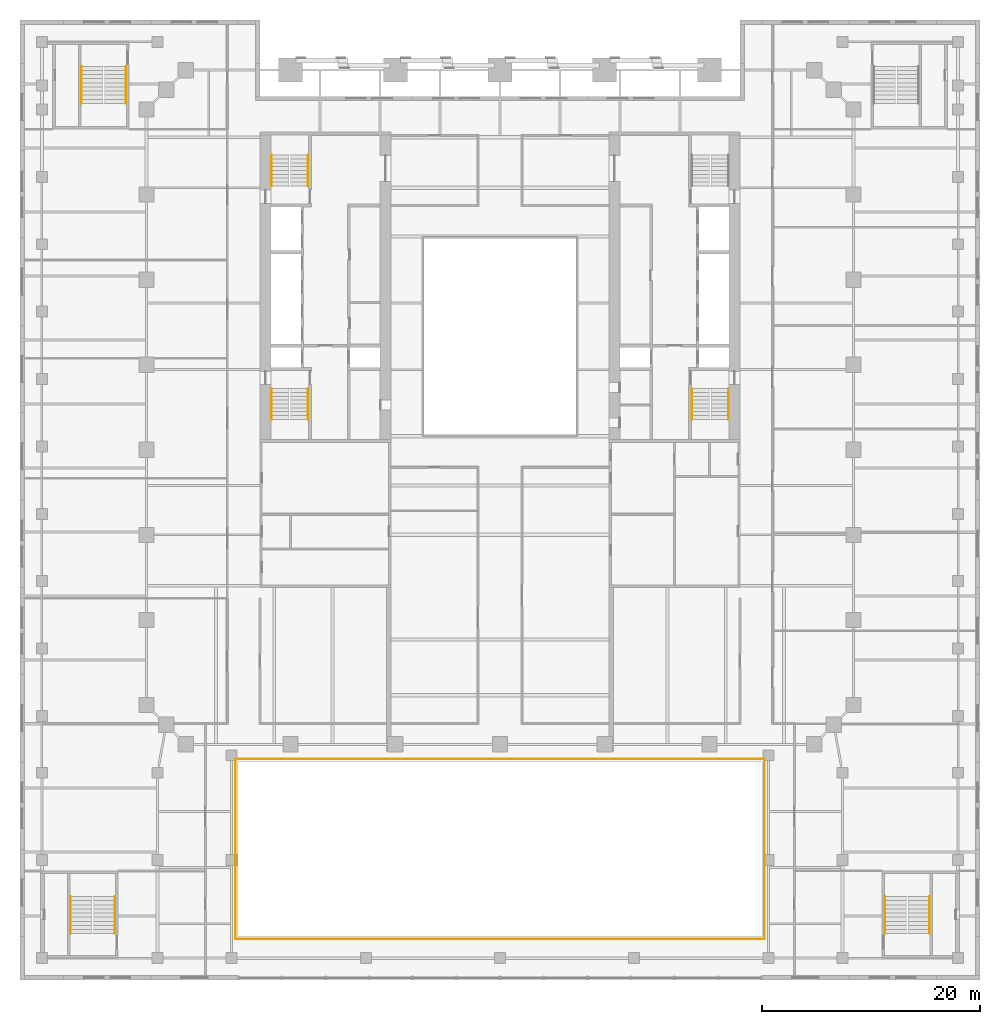
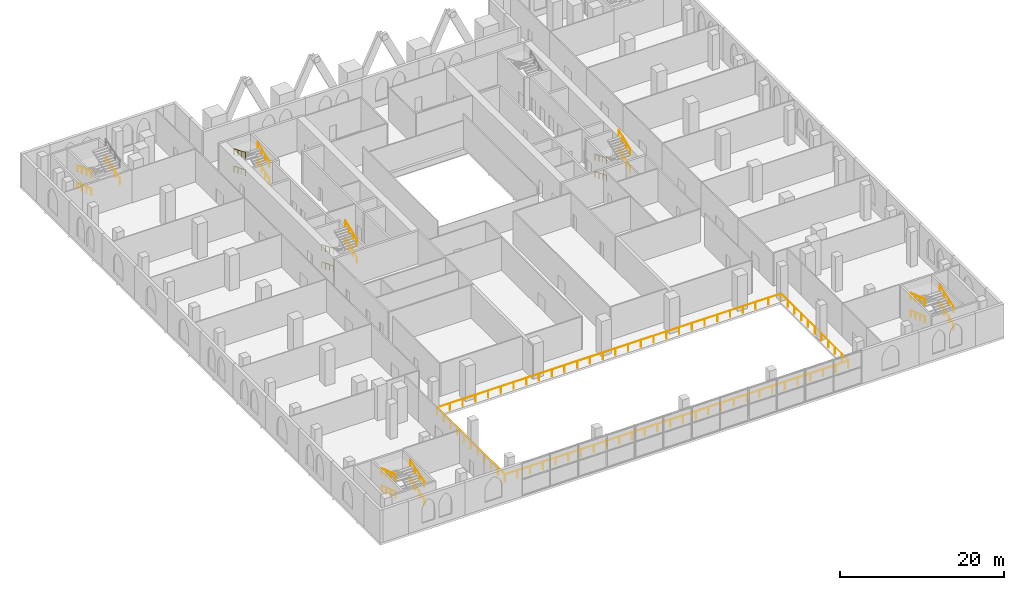
# One storey, part 21 of 22: 27 railings.
"""IFC4 building model written with IfcOpenShell, lengths in metres."""

from ifc_helpers import new_model, si_unit, direction, frame, origin, origin_2d, place, context, subcontext, project, spatial, circle, extrude, material, type_object, element, save


model = new_model("IFC4")

# Units and contexts
model_context = context("Model", 3, precision=1e-05, world=origin(), true_north=direction((0.0, 1.0)))
body_context = subcontext(model_context, "Body", "Model", "MODEL_VIEW")
ifc_project = project(units=[si_unit("LENGTHUNIT", "METRE"), si_unit("AREAUNIT", "SQUARE_METRE"), si_unit("VOLUMEUNIT", "CUBIC_METRE"), si_unit("PLANEANGLEUNIT", "RADIAN"), si_unit("MASSUNIT", "GRAM", prefix="KILO")], contexts=[model_context])

# Site, building, storey
site_placement = place(None, origin())
site = spatial("IfcSite", under=ifc_project, at=site_placement, CompositionType="ELEMENT")
building_placement = place(site_placement, origin())
building = spatial("IfcBuilding", under=site, at=building_placement, Name="Ogive Exchange Tower", CompositionType="ELEMENT")
storey_placement = place(building_placement, frame((0.0, 0.0, 14.0)))
storey = spatial("IfcBuildingStorey", under=building, at=storey_placement, Name="L02", CompositionType="ELEMENT", Elevation=14.0)

# Railings
ifc_material_1 = material(Name="Stainless steel 316", Category="steel")
railing_type_1 = type_object("IfcRailingType", Name="Balustrade 1100 glass and stainless steel", PredefinedType="BALUSTRADE", material=ifc_material_1)
railing_1_placement = place(storey_placement, frame((-24.25, -48.25, 0.0)))
element("IfcRailing", 1, at=railing_1_placement, inside=storey, type_object=railing_type_1, Name="Galleria edge balustrade 1", PredefinedType="BALUSTRADE", context=body_context, shape_type="SweptSolid", body=[
    extrude(circle(Radius=0.02392578125, at=origin_2d()), frame((0.0, 0.0, 1.076171875), z_axis=(1.0, 0.0, 0.0), x_axis=(0.0, 1.0, 0.0)), (0.0, 0.0, 1.0), 48.5),
    extrude(circle(Radius=0.02099609375, at=origin_2d()), origin(), (0.0, 0.0, 1.0), 1.052001953125),
    extrude(circle(Radius=0.02099609375, at=origin_2d()), frame((1.79638671875, 0.0, 0.0)), (0.0, 0.0, 1.0), 1.052001953125),
    extrude(circle(Radius=0.02099609375, at=origin_2d()), frame((3.592529296875, 0.0, 0.0)), (0.0, 0.0, 1.0), 1.052001953125),
    extrude(circle(Radius=0.02099609375, at=origin_2d()), frame((5.388916015625, 0.0, 0.0)), (0.0, 0.0, 1.0), 1.052001953125),
    extrude(circle(Radius=0.02099609375, at=origin_2d()), frame((7.185302734375, 0.0, 0.0)), (0.0, 0.0, 1.0), 1.052001953125),
    extrude(circle(Radius=0.02099609375, at=origin_2d()), frame((8.9814453125, 0.0, 0.0)), (0.0, 0.0, 1.0), 1.052001953125),
    extrude(circle(Radius=0.02099609375, at=origin_2d()), frame((10.77783203125, 0.0, 0.0)), (0.0, 0.0, 1.0), 1.052001953125),
    extrude(circle(Radius=0.02099609375, at=origin_2d()), frame((12.573974609375, 0.0, 0.0)), (0.0, 0.0, 1.0), 1.052001953125),
    extrude(circle(Radius=0.02099609375, at=origin_2d()), frame((14.370361328125, 0.0, 0.0)), (0.0, 0.0, 1.0), 1.052001953125),
    extrude(circle(Radius=0.02099609375, at=origin_2d()), frame((16.166748046875, 0.0, 0.0)), (0.0, 0.0, 1.0), 1.052001953125),
    extrude(circle(Radius=0.02099609375, at=origin_2d()), frame((17.962890625, 0.0, 0.0)), (0.0, 0.0, 1.0), 1.052001953125),
    extrude(circle(Radius=0.02099609375, at=origin_2d()), frame((19.75927734375, 0.0, 0.0)), (0.0, 0.0, 1.0), 1.052001953125),
    extrude(circle(Radius=0.02099609375, at=origin_2d()), frame((21.5556640625, 0.0, 0.0)), (0.0, 0.0, 1.0), 1.052001953125),
    extrude(circle(Radius=0.02099609375, at=origin_2d()), frame((23.351806640625, 0.0, 0.0)), (0.0, 0.0, 1.0), 1.052001953125),
    extrude(circle(Radius=0.02099609375, at=origin_2d()), frame((25.148193359375, 0.0, 0.0)), (0.0, 0.0, 1.0), 1.052001953125),
    extrude(circle(Radius=0.02099609375, at=origin_2d()), frame((26.9443359375, 0.0, 0.0)), (0.0, 0.0, 1.0), 1.052001953125),
    extrude(circle(Radius=0.02099609375, at=origin_2d()), frame((28.74072265625, 0.0, 0.0)), (0.0, 0.0, 1.0), 1.052001953125),
    extrude(circle(Radius=0.02099609375, at=origin_2d()), frame((30.537109375, 0.0, 0.0)), (0.0, 0.0, 1.0), 1.052001953125),
    extrude(circle(Radius=0.02099609375, at=origin_2d()), frame((32.333251953125, 0.0, 0.0)), (0.0, 0.0, 1.0), 1.052001953125),
    extrude(circle(Radius=0.02099609375, at=origin_2d()), frame((34.129638671875, 0.0, 0.0)), (0.0, 0.0, 1.0), 1.052001953125),
    extrude(circle(Radius=0.02099609375, at=origin_2d()), frame((35.926025390625, 0.0, 0.0)), (0.0, 0.0, 1.0), 1.052001953125),
    extrude(circle(Radius=0.02099609375, at=origin_2d()), frame((37.72216796875, 0.0, 0.0)), (0.0, 0.0, 1.0), 1.052001953125),
    extrude(circle(Radius=0.02099609375, at=origin_2d()), frame((39.5185546875, 0.0, 0.0)), (0.0, 0.0, 1.0), 1.052001953125),
    extrude(circle(Radius=0.02099609375, at=origin_2d()), frame((41.314697265625, 0.0, 0.0)), (0.0, 0.0, 1.0), 1.052001953125),
    extrude(circle(Radius=0.02099609375, at=origin_2d()), frame((43.111083984375, 0.0, 0.0)), (0.0, 0.0, 1.0), 1.052001953125),
    extrude(circle(Radius=0.02099609375, at=origin_2d()), frame((44.907470703125, 0.0, 0.0)), (0.0, 0.0, 1.0), 1.052001953125),
    extrude(circle(Radius=0.02099609375, at=origin_2d()), frame((46.70361328125, 0.0, 0.0)), (0.0, 0.0, 1.0), 1.052001953125),
    extrude(circle(Radius=0.02099609375, at=origin_2d()), frame((48.5, 0.0, 0.0)), (0.0, 0.0, 1.0), 1.052001953125),
])
railing_2_placement = place(storey_placement, frame((24.25, -48.25, 0.0)))
element("IfcRailing", 2, at=railing_2_placement, inside=storey, type_object=railing_type_1, Name="Galleria edge balustrade 2", PredefinedType="BALUSTRADE", context=body_context, shape_type="SweptSolid", body=[
    extrude(circle(Radius=0.02392578125, at=origin_2d()), frame((0.0, 0.0, 1.076171875), z_axis=(0.0, 1.0, 0.0), x_axis=(-1.0, 0.0, 0.0)), (0.0, 0.0, 1.0), 16.5),
    extrude(circle(Radius=0.02099609375, at=origin_2d()), origin(), (0.0, 0.0, 1.0), 1.052001953125),
    extrude(circle(Radius=0.02099609375, at=origin_2d()), frame((0.0, 1.64990234375, 0.0)), (0.0, 0.0, 1.0), 1.052001953125),
    extrude(circle(Radius=0.02099609375, at=origin_2d()), frame((0.0, 3.300048828125, 0.0)), (0.0, 0.0, 1.0), 1.052001953125),
    extrude(circle(Radius=0.02099609375, at=origin_2d()), frame((0.0, 4.949951171875, 0.0)), (0.0, 0.0, 1.0), 1.052001953125),
    extrude(circle(Radius=0.02099609375, at=origin_2d()), frame((0.0, 6.60009765625, 0.0)), (0.0, 0.0, 1.0), 1.052001953125),
    extrude(circle(Radius=0.02099609375, at=origin_2d()), frame((0.0, 8.25, 0.0)), (0.0, 0.0, 1.0), 1.052001953125),
    extrude(circle(Radius=0.02099609375, at=origin_2d()), frame((0.0, 9.89990234375, 0.0)), (0.0, 0.0, 1.0), 1.052001953125),
    extrude(circle(Radius=0.02099609375, at=origin_2d()), frame((0.0, 11.550048828125, 0.0)), (0.0, 0.0, 1.0), 1.052001953125),
    extrude(circle(Radius=0.02099609375, at=origin_2d()), frame((0.0, 13.199951171875, 0.0)), (0.0, 0.0, 1.0), 1.052001953125),
    extrude(circle(Radius=0.02099609375, at=origin_2d()), frame((0.0, 14.85009765625, 0.0)), (0.0, 0.0, 1.0), 1.052001953125),
    extrude(circle(Radius=0.02099609375, at=origin_2d()), frame((0.0, 16.5, 0.0)), (0.0, 0.0, 1.0), 1.052001953125),
])
railing_3_placement = place(storey_placement, frame((24.25, -31.75, 0.0)))
element("IfcRailing", 3, at=railing_3_placement, inside=storey, type_object=railing_type_1, Name="Galleria edge balustrade 3", PredefinedType="BALUSTRADE", context=body_context, shape_type="SweptSolid", body=[
    extrude(circle(Radius=0.02392578125, at=origin_2d()), frame((0.0, 0.0, 1.076171875), z_axis=(-1.0, 0.0, 0.0), x_axis=(0.0, -1.0, 0.0)), (0.0, 0.0, 1.0), 48.5),
    extrude(circle(Radius=0.02099609375, at=origin_2d()), origin(), (0.0, 0.0, 1.0), 1.052001953125),
    extrude(circle(Radius=0.02099609375, at=origin_2d()), frame((-1.79638671875, 0.0, 0.0)), (0.0, 0.0, 1.0), 1.052001953125),
    extrude(circle(Radius=0.02099609375, at=origin_2d()), frame((-3.592529296875, 0.0, 0.0)), (0.0, 0.0, 1.0), 1.052001953125),
    extrude(circle(Radius=0.02099609375, at=origin_2d()), frame((-5.388916015625, 0.0, 0.0)), (0.0, 0.0, 1.0), 1.052001953125),
    extrude(circle(Radius=0.02099609375, at=origin_2d()), frame((-7.185302734375, 0.0, 0.0)), (0.0, 0.0, 1.0), 1.052001953125),
    extrude(circle(Radius=0.02099609375, at=origin_2d()), frame((-8.9814453125, 0.0, 0.0)), (0.0, 0.0, 1.0), 1.052001953125),
    extrude(circle(Radius=0.02099609375, at=origin_2d()), frame((-10.77783203125, 0.0, 0.0)), (0.0, 0.0, 1.0), 1.052001953125),
    extrude(circle(Radius=0.02099609375, at=origin_2d()), frame((-12.573974609375, 0.0, 0.0)), (0.0, 0.0, 1.0), 1.052001953125),
    extrude(circle(Radius=0.02099609375, at=origin_2d()), frame((-14.370361328125, 0.0, 0.0)), (0.0, 0.0, 1.0), 1.052001953125),
    extrude(circle(Radius=0.02099609375, at=origin_2d()), frame((-16.166748046875, 0.0, 0.0)), (0.0, 0.0, 1.0), 1.052001953125),
    extrude(circle(Radius=0.02099609375, at=origin_2d()), frame((-17.962890625, 0.0, 0.0)), (0.0, 0.0, 1.0), 1.052001953125),
    extrude(circle(Radius=0.02099609375, at=origin_2d()), frame((-19.75927734375, 0.0, 0.0)), (0.0, 0.0, 1.0), 1.052001953125),
    extrude(circle(Radius=0.02099609375, at=origin_2d()), frame((-21.5556640625, 0.0, 0.0)), (0.0, 0.0, 1.0), 1.052001953125),
    extrude(circle(Radius=0.02099609375, at=origin_2d()), frame((-23.351806640625, 0.0, 0.0)), (0.0, 0.0, 1.0), 1.052001953125),
    extrude(circle(Radius=0.02099609375, at=origin_2d()), frame((-25.148193359375, 0.0, 0.0)), (0.0, 0.0, 1.0), 1.052001953125),
    extrude(circle(Radius=0.02099609375, at=origin_2d()), frame((-26.9443359375, 0.0, 0.0)), (0.0, 0.0, 1.0), 1.052001953125),
    extrude(circle(Radius=0.02099609375, at=origin_2d()), frame((-28.74072265625, 0.0, 0.0)), (0.0, 0.0, 1.0), 1.052001953125),
    extrude(circle(Radius=0.02099609375, at=origin_2d()), frame((-30.537109375, 0.0, 0.0)), (0.0, 0.0, 1.0), 1.052001953125),
    extrude(circle(Radius=0.02099609375, at=origin_2d()), frame((-32.333251953125, 0.0, 0.0)), (0.0, 0.0, 1.0), 1.052001953125),
    extrude(circle(Radius=0.02099609375, at=origin_2d()), frame((-34.129638671875, 0.0, 0.0)), (0.0, 0.0, 1.0), 1.052001953125),
    extrude(circle(Radius=0.02099609375, at=origin_2d()), frame((-35.926025390625, 0.0, 0.0)), (0.0, 0.0, 1.0), 1.052001953125),
    extrude(circle(Radius=0.02099609375, at=origin_2d()), frame((-37.72216796875, 0.0, 0.0)), (0.0, 0.0, 1.0), 1.052001953125),
    extrude(circle(Radius=0.02099609375, at=origin_2d()), frame((-39.5185546875, 0.0, 0.0)), (0.0, 0.0, 1.0), 1.052001953125),
    extrude(circle(Radius=0.02099609375, at=origin_2d()), frame((-41.314697265625, 0.0, 0.0)), (0.0, 0.0, 1.0), 1.052001953125),
    extrude(circle(Radius=0.02099609375, at=origin_2d()), frame((-43.111083984375, 0.0, 0.0)), (0.0, 0.0, 1.0), 1.052001953125),
    extrude(circle(Radius=0.02099609375, at=origin_2d()), frame((-44.907470703125, 0.0, 0.0)), (0.0, 0.0, 1.0), 1.052001953125),
    extrude(circle(Radius=0.02099609375, at=origin_2d()), frame((-46.70361328125, 0.0, 0.0)), (0.0, 0.0, 1.0), 1.052001953125),
    extrude(circle(Radius=0.02099609375, at=origin_2d()), frame((-48.5, 0.0, 0.0)), (0.0, 0.0, 1.0), 1.052001953125),
])
railing_4_placement = place(storey_placement, frame((-24.25, -31.75, 0.0)))
element("IfcRailing", 4, at=railing_4_placement, inside=storey, type_object=railing_type_1, Name="Galleria edge balustrade 4", PredefinedType="BALUSTRADE", context=body_context, shape_type="SweptSolid", body=[
    extrude(circle(Radius=0.02392578125, at=origin_2d()), frame((0.0, 0.0, 1.076171875), z_axis=(0.0, -1.0, 0.0), x_axis=(1.0, 0.0, 0.0)), (0.0, 0.0, 1.0), 16.5),
    extrude(circle(Radius=0.02099609375, at=origin_2d()), origin(), (0.0, 0.0, 1.0), 1.052001953125),
    extrude(circle(Radius=0.02099609375, at=origin_2d()), frame((0.0, -1.64990234375, 0.0)), (0.0, 0.0, 1.0), 1.052001953125),
    extrude(circle(Radius=0.02099609375, at=origin_2d()), frame((0.0, -3.300048828125, 0.0)), (0.0, 0.0, 1.0), 1.052001953125),
    extrude(circle(Radius=0.02099609375, at=origin_2d()), frame((0.0, -4.949951171875, 0.0)), (0.0, 0.0, 1.0), 1.052001953125),
    extrude(circle(Radius=0.02099609375, at=origin_2d()), frame((0.0, -6.60009765625, 0.0)), (0.0, 0.0, 1.0), 1.052001953125),
    extrude(circle(Radius=0.02099609375, at=origin_2d()), frame((0.0, -8.25, 0.0)), (0.0, 0.0, 1.0), 1.052001953125),
    extrude(circle(Radius=0.02099609375, at=origin_2d()), frame((0.0, -9.89990234375, 0.0)), (0.0, 0.0, 1.0), 1.052001953125),
    extrude(circle(Radius=0.02099609375, at=origin_2d()), frame((0.0, -11.550048828125, 0.0)), (0.0, 0.0, 1.0), 1.052001953125),
    extrude(circle(Radius=0.02099609375, at=origin_2d()), frame((0.0, -13.199951171875, 0.0)), (0.0, 0.0, 1.0), 1.052001953125),
    extrude(circle(Radius=0.02099609375, at=origin_2d()), frame((0.0, -14.85009765625, 0.0)), (0.0, 0.0, 1.0), 1.052001953125),
    extrude(circle(Radius=0.02099609375, at=origin_2d()), frame((0.0, -16.5, 0.0)), (0.0, 0.0, 1.0), 1.052001953125),
])
ifc_material_2 = material(Name="Stainless steel", Category="steel")
railing_type_2 = type_object("IfcRailingType", Name="Stair handrail 900", PredefinedType="HANDRAIL", material=ifc_material_2)
railing_5_placement = place(storey_placement, frame((-20.949951171875, 2.199951171875, 0.14453125)))
element("IfcRailing", 5, at=railing_5_placement, inside=storey, type_object=railing_type_2, Name="L02 ST1 stair handrail 1", PredefinedType="HANDRAIL", context=body_context, shape_type="SweptSolid", body=[
    extrude(circle(Radius=0.02392578125, at=origin_2d()), frame((0.0, 0.0, 0.8759765625), z_axis=(0.0, -0.924754679997, 0.380563768405), x_axis=(1.0, 0.0, 0.0)), (0.0, 0.0, 1.0), 3.036376953125),
    extrude(circle(Radius=0.02099609375, at=origin_2d()), origin(), (0.0, 0.0, 1.0), 0.851806640625),
    extrude(circle(Radius=0.02099609375, at=origin_2d()), frame((0.0, -0.93603515625, 0.38525390625)), (0.0, 0.0, 1.0), 0.851806640625),
    extrude(circle(Radius=0.02099609375, at=origin_2d()), frame((0.0, -1.871826171875, 0.770263671875)), (0.0, 0.0, 1.0), 0.851806640625),
    extrude(circle(Radius=0.02099609375, at=origin_2d()), frame((0.0, -2.807861328125, 1.155517578125)), (0.0, 0.0, 1.0), 0.851806640625),
])
railing_6_placement = place(storey_placement, frame((-17.60009765625, -0.60791015625, 1.4443359375)))
element("IfcRailing", 6, at=railing_6_placement, inside=storey, type_object=railing_type_2, Name="L02 ST1 stair handrail 2", PredefinedType="HANDRAIL", context=body_context, shape_type="SweptSolid", body=[
    extrude(circle(Radius=0.02392578125, at=origin_2d()), frame((0.0, 0.0, 0.8759765625), z_axis=(0.0, 0.924726381013, 0.380632526538), x_axis=(-1.0, 0.0, 0.0)), (0.0, 0.0, 1.0), 3.036376953125),
    extrude(circle(Radius=0.02099609375, at=origin_2d()), origin(), (0.0, 0.0, 1.0), 0.851806640625),
    extrude(circle(Radius=0.02099609375, at=origin_2d()), frame((0.0, 0.93603515625, 0.38525390625)), (0.0, 0.0, 1.0), 0.851806640625),
    extrude(circle(Radius=0.02099609375, at=origin_2d()), frame((0.0, 1.871826171875, 0.7705078125)), (0.0, 0.0, 1.0), 0.851806640625),
    extrude(circle(Radius=0.02099609375, at=origin_2d()), frame((0.0, 2.807861328125, 1.15576171875)), (0.0, 0.0, 1.0), 0.851806640625),
])
railing_7_placement = place(storey_placement, frame((-20.949951171875, 2.199951171875, 2.744384765625)))
element("IfcRailing", 7, at=railing_7_placement, inside=storey, type_object=railing_type_2, Name="L02 ST1 stair handrail 3", PredefinedType="HANDRAIL", context=body_context, shape_type="SweptSolid", body=[
    extrude(circle(Radius=0.02392578125, at=origin_2d()), frame((0.0, 0.0, 0.8759765625), z_axis=(0.0, -0.924754679997, 0.380563768405), x_axis=(1.0, 0.0, 0.0)), (0.0, 0.0, 1.0), 3.036376953125),
    extrude(circle(Radius=0.02099609375, at=origin_2d()), origin(), (0.0, 0.0, 1.0), 0.851806640625),
    extrude(circle(Radius=0.02099609375, at=origin_2d()), frame((0.0, -0.93603515625, 0.38525390625)), (0.0, 0.0, 1.0), 0.851806640625),
    extrude(circle(Radius=0.02099609375, at=origin_2d()), frame((0.0, -1.871826171875, 0.770263671875)), (0.0, 0.0, 1.0), 0.851806640625),
    extrude(circle(Radius=0.02099609375, at=origin_2d()), frame((0.0, -2.807861328125, 1.155517578125)), (0.0, 0.0, 1.0), 0.851806640625),
])
for number, where, name in (
    (8, (-17.60009765625, -0.60791015625, 4.04443359375), "L02 ST1 stair handrail 4"),
    (9, (-17.60009765625, 20.800048828125, 0.14453125), "L02 ST2 stair handrail 1"),
):
    element("IfcRailing", number, at=place(storey_placement, frame(where)), inside=storey, type_object=railing_type_2, Name=name, PredefinedType="HANDRAIL", context=body_context, shape_type="SweptSolid", body=[
        extrude(circle(Radius=0.02392578125, at=origin_2d()), frame((0.0, 0.0, 0.8759765625), z_axis=(0.0, 0.924754679997, 0.380563768405), x_axis=(-1.0, 0.0, 0.0)), (0.0, 0.0, 1.0), 3.036376953125),
        extrude(circle(Radius=0.02099609375, at=origin_2d()), origin(), (0.0, 0.0, 1.0), 0.851806640625),
        extrude(circle(Radius=0.02099609375, at=origin_2d()), frame((0.0, 0.93603515625, 0.38525390625)), (0.0, 0.0, 1.0), 0.851806640625),
        extrude(circle(Radius=0.02099609375, at=origin_2d()), frame((0.0, 1.871826171875, 0.770263671875)), (0.0, 0.0, 1.0), 0.851806640625),
        extrude(circle(Radius=0.02099609375, at=origin_2d()), frame((0.0, 2.807861328125, 1.155517578125)), (0.0, 0.0, 1.0), 0.851806640625),
    ])
railing_8_placement = place(storey_placement, frame((-20.949951171875, 23.60791015625, 1.4443359375)))
element("IfcRailing", 10, at=railing_8_placement, inside=storey, type_object=railing_type_2, Name="L02 ST2 stair handrail 2", PredefinedType="HANDRAIL", context=body_context, shape_type="SweptSolid", body=[
    extrude(circle(Radius=0.02392578125, at=origin_2d()), frame((0.0, 0.0, 0.8759765625), z_axis=(0.0, -0.924726381013, 0.380632526538), x_axis=(1.0, 0.0, 0.0)), (0.0, 0.0, 1.0), 3.036376953125),
    extrude(circle(Radius=0.02099609375, at=origin_2d()), origin(), (0.0, 0.0, 1.0), 0.851806640625),
    extrude(circle(Radius=0.02099609375, at=origin_2d()), frame((0.0, -0.93603515625, 0.38525390625)), (0.0, 0.0, 1.0), 0.851806640625),
    extrude(circle(Radius=0.02099609375, at=origin_2d()), frame((0.0, -1.871826171875, 0.7705078125)), (0.0, 0.0, 1.0), 0.851806640625),
    extrude(circle(Radius=0.02099609375, at=origin_2d()), frame((0.0, -2.807861328125, 1.15576171875)), (0.0, 0.0, 1.0), 0.851806640625),
])
railing_9_placement = place(storey_placement, frame((-17.60009765625, 20.800048828125, 2.744384765625)))
element("IfcRailing", 11, at=railing_9_placement, inside=storey, type_object=railing_type_2, Name="L02 ST2 stair handrail 3", PredefinedType="HANDRAIL", context=body_context, shape_type="SweptSolid", body=[
    extrude(circle(Radius=0.02392578125, at=origin_2d()), frame((0.0, 0.0, 0.8759765625), z_axis=(0.0, 0.924754679997, 0.380563768405), x_axis=(-1.0, 0.0, 0.0)), (0.0, 0.0, 1.0), 3.036376953125),
    extrude(circle(Radius=0.02099609375, at=origin_2d()), origin(), (0.0, 0.0, 1.0), 0.851806640625),
    extrude(circle(Radius=0.02099609375, at=origin_2d()), frame((0.0, 0.93603515625, 0.38525390625)), (0.0, 0.0, 1.0), 0.851806640625),
    extrude(circle(Radius=0.02099609375, at=origin_2d()), frame((0.0, 1.871826171875, 0.770263671875)), (0.0, 0.0, 1.0), 0.851806640625),
    extrude(circle(Radius=0.02099609375, at=origin_2d()), frame((0.0, 2.807861328125, 1.155517578125)), (0.0, 0.0, 1.0), 0.851806640625),
])
for number, where, name in (
    (12, (-20.949951171875, 23.60791015625, 4.04443359375), "L02 ST2 stair handrail 4"),
    (13, (17.60009765625, 2.199951171875, 0.14453125), "L02 ST3 stair handrail 1"),
):
    element("IfcRailing", number, at=place(storey_placement, frame(where)), inside=storey, type_object=railing_type_2, Name=name, PredefinedType="HANDRAIL", context=body_context, shape_type="SweptSolid", body=[
        extrude(circle(Radius=0.02392578125, at=origin_2d()), frame((0.0, 0.0, 0.8759765625), z_axis=(0.0, -0.924754679997, 0.380563768405), x_axis=(1.0, 0.0, 0.0)), (0.0, 0.0, 1.0), 3.036376953125),
        extrude(circle(Radius=0.02099609375, at=origin_2d()), origin(), (0.0, 0.0, 1.0), 0.851806640625),
        extrude(circle(Radius=0.02099609375, at=origin_2d()), frame((0.0, -0.93603515625, 0.38525390625)), (0.0, 0.0, 1.0), 0.851806640625),
        extrude(circle(Radius=0.02099609375, at=origin_2d()), frame((0.0, -1.871826171875, 0.770263671875)), (0.0, 0.0, 1.0), 0.851806640625),
        extrude(circle(Radius=0.02099609375, at=origin_2d()), frame((0.0, -2.807861328125, 1.155517578125)), (0.0, 0.0, 1.0), 0.851806640625),
    ])
railing_10_placement = place(storey_placement, frame((20.949951171875, -0.60791015625, 1.4443359375)))
element("IfcRailing", 14, at=railing_10_placement, inside=storey, type_object=railing_type_2, Name="L02 ST3 stair handrail 2", PredefinedType="HANDRAIL", context=body_context, shape_type="SweptSolid", body=[
    extrude(circle(Radius=0.02392578125, at=origin_2d()), frame((0.0, 0.0, 0.8759765625), z_axis=(0.0, 0.924726381013, 0.380632526538), x_axis=(-1.0, 0.0, 0.0)), (0.0, 0.0, 1.0), 3.036376953125),
    extrude(circle(Radius=0.02099609375, at=origin_2d()), origin(), (0.0, 0.0, 1.0), 0.851806640625),
    extrude(circle(Radius=0.02099609375, at=origin_2d()), frame((0.0, 0.93603515625, 0.38525390625)), (0.0, 0.0, 1.0), 0.851806640625),
    extrude(circle(Radius=0.02099609375, at=origin_2d()), frame((0.0, 1.871826171875, 0.7705078125)), (0.0, 0.0, 1.0), 0.851806640625),
    extrude(circle(Radius=0.02099609375, at=origin_2d()), frame((0.0, 2.807861328125, 1.15576171875)), (0.0, 0.0, 1.0), 0.851806640625),
])
railing_11_placement = place(storey_placement, frame((17.60009765625, 2.199951171875, 2.744384765625)))
element("IfcRailing", 15, at=railing_11_placement, inside=storey, type_object=railing_type_2, Name="L02 ST3 stair handrail 3", PredefinedType="HANDRAIL", context=body_context, shape_type="SweptSolid", body=[
    extrude(circle(Radius=0.02392578125, at=origin_2d()), frame((0.0, 0.0, 0.8759765625), z_axis=(0.0, -0.924754679997, 0.380563768405), x_axis=(1.0, 0.0, 0.0)), (0.0, 0.0, 1.0), 3.036376953125),
    extrude(circle(Radius=0.02099609375, at=origin_2d()), origin(), (0.0, 0.0, 1.0), 0.851806640625),
    extrude(circle(Radius=0.02099609375, at=origin_2d()), frame((0.0, -0.93603515625, 0.38525390625)), (0.0, 0.0, 1.0), 0.851806640625),
    extrude(circle(Radius=0.02099609375, at=origin_2d()), frame((0.0, -1.871826171875, 0.770263671875)), (0.0, 0.0, 1.0), 0.851806640625),
    extrude(circle(Radius=0.02099609375, at=origin_2d()), frame((0.0, -2.807861328125, 1.155517578125)), (0.0, 0.0, 1.0), 0.851806640625),
])
railing_12_placement = place(storey_placement, frame((20.949951171875, -0.60791015625, 4.04443359375)))
element("IfcRailing", 16, at=railing_12_placement, inside=storey, type_object=railing_type_2, Name="L02 ST3 stair handrail 4", PredefinedType="HANDRAIL", context=body_context, shape_type="SweptSolid", body=[
    extrude(circle(Radius=0.02392578125, at=origin_2d()), frame((0.0, 0.0, 0.8759765625), z_axis=(0.0, 0.924754679997, 0.380563768405), x_axis=(-1.0, 0.0, 0.0)), (0.0, 0.0, 1.0), 3.036376953125),
    extrude(circle(Radius=0.02099609375, at=origin_2d()), origin(), (0.0, 0.0, 1.0), 0.851806640625),
    extrude(circle(Radius=0.02099609375, at=origin_2d()), frame((0.0, 0.93603515625, 0.38525390625)), (0.0, 0.0, 1.0), 0.851806640625),
    extrude(circle(Radius=0.02099609375, at=origin_2d()), frame((0.0, 1.871826171875, 0.770263671875)), (0.0, 0.0, 1.0), 0.851806640625),
    extrude(circle(Radius=0.02099609375, at=origin_2d()), frame((0.0, 2.807861328125, 1.155517578125)), (0.0, 0.0, 1.0), 0.851806640625),
])
railing_13_placement = place(storey_placement, frame((-35.300048828125, -47.75, 0.1298828125)))
element("IfcRailing", 17, at=railing_13_placement, inside=storey, type_object=railing_type_2, Name="L02 PS1 stair handrail 1", PredefinedType="HANDRAIL", context=body_context, shape_type="SweptSolid", body=[
    extrude(circle(Radius=0.02392578125, at=origin_2d()), frame((0.0, 0.0, 0.8759765625), z_axis=(0.0, 0.945627258031, 0.325252346447), x_axis=(-1.0, 0.0, 0.0)), (0.0, 0.0, 1.0), 3.59765625),
    extrude(circle(Radius=0.02099609375, at=origin_2d()), origin(), (0.0, 0.0, 1.0), 0.851806640625),
    extrude(circle(Radius=0.02099609375, at=origin_2d()), frame((0.0, 1.134033203125, 0.39013671875)), (0.0, 0.0, 1.0), 0.851806640625),
    extrude(circle(Radius=0.02099609375, at=origin_2d()), frame((0.0, 2.26806640625, 0.780029296875)), (0.0, 0.0, 1.0), 0.851806640625),
    extrude(circle(Radius=0.02099609375, at=origin_2d()), frame((0.0, 3.402099609375, 1.170166015625)), (0.0, 0.0, 1.0), 0.851806640625),
])
railing_14_placement = place(storey_placement, frame((-39.35009765625, -44.347900390625, 1.429931640625)))
element("IfcRailing", 18, at=railing_14_placement, inside=storey, type_object=railing_type_2, Name="L02 PS1 stair handrail 2", PredefinedType="HANDRAIL", context=body_context, shape_type="SweptSolid", body=[
    extrude(circle(Radius=0.02392578125, at=origin_2d()), frame((0.0, 0.0, 0.8759765625), z_axis=(0.0, -0.945627258031, 0.325252346447), x_axis=(1.0, 0.0, 0.0)), (0.0, 0.0, 1.0), 3.59765625),
    extrude(circle(Radius=0.02099609375, at=origin_2d()), origin(), (0.0, 0.0, 1.0), 0.851806640625),
    extrude(circle(Radius=0.02099609375, at=origin_2d()), frame((0.0, -1.134033203125, 0.39013671875)), (0.0, 0.0, 1.0), 0.851806640625),
    extrude(circle(Radius=0.02099609375, at=origin_2d()), frame((0.0, -2.26806640625, 0.780029296875)), (0.0, 0.0, 1.0), 0.851806640625),
    extrude(circle(Radius=0.02099609375, at=origin_2d()), frame((0.0, -3.402099609375, 1.170166015625)), (0.0, 0.0, 1.0), 0.851806640625),
])
railing_15_placement = place(storey_placement, frame((-35.300048828125, -47.75, 2.72998046875)))
element("IfcRailing", 19, at=railing_15_placement, inside=storey, type_object=railing_type_2, Name="L02 PS1 stair handrail 3", PredefinedType="HANDRAIL", context=body_context, shape_type="SweptSolid", body=[
    extrude(circle(Radius=0.02392578125, at=origin_2d()), frame((0.0, 0.0, 0.8759765625), z_axis=(0.0, 0.945648128033, 0.325191663404), x_axis=(-1.0, 0.0, 0.0)), (0.0, 0.0, 1.0), 3.59765625),
    extrude(circle(Radius=0.02099609375, at=origin_2d()), origin(), (0.0, 0.0, 1.0), 0.851806640625),
    extrude(circle(Radius=0.02099609375, at=origin_2d()), frame((0.0, 1.134033203125, 0.389892578125)), (0.0, 0.0, 1.0), 0.851806640625),
    extrude(circle(Radius=0.02099609375, at=origin_2d()), frame((0.0, 2.26806640625, 0.780029296875)), (0.0, 0.0, 1.0), 0.851806640625),
    extrude(circle(Radius=0.02099609375, at=origin_2d()), frame((0.0, 3.402099609375, 1.169921875)), (0.0, 0.0, 1.0), 0.851806640625),
])
railing_16_placement = place(storey_placement, frame((-39.35009765625, -44.347900390625, 4.030029296875)))
element("IfcRailing", 20, at=railing_16_placement, inside=storey, type_object=railing_type_2, Name="L02 PS1 stair handrail 4", PredefinedType="HANDRAIL", context=body_context, shape_type="SweptSolid", body=[
    extrude(circle(Radius=0.02392578125, at=origin_2d()), frame((0.0, 0.0, 0.8759765625), z_axis=(0.0, -0.945648128033, 0.325191663404), x_axis=(1.0, 0.0, 0.0)), (0.0, 0.0, 1.0), 3.59765625),
    extrude(circle(Radius=0.02099609375, at=origin_2d()), origin(), (0.0, 0.0, 1.0), 0.851806640625),
    extrude(circle(Radius=0.02099609375, at=origin_2d()), frame((0.0, -1.134033203125, 0.389892578125)), (0.0, 0.0, 1.0), 0.851806640625),
    extrude(circle(Radius=0.02099609375, at=origin_2d()), frame((0.0, -2.26806640625, 0.780029296875)), (0.0, 0.0, 1.0), 0.851806640625),
    extrude(circle(Radius=0.02099609375, at=origin_2d()), frame((0.0, -3.402099609375, 1.169921875)), (0.0, 0.0, 1.0), 0.851806640625),
])
railing_17_placement = place(storey_placement, frame((39.35009765625, -47.75, 0.1298828125)))
element("IfcRailing", 21, at=railing_17_placement, inside=storey, type_object=railing_type_2, Name="L02 PS2 stair handrail 1", PredefinedType="HANDRAIL", context=body_context, shape_type="SweptSolid", body=[
    extrude(circle(Radius=0.02392578125, at=origin_2d()), frame((0.0, 0.0, 0.8759765625), z_axis=(0.0, 0.945627258031, 0.325252346447), x_axis=(-1.0, 0.0, 0.0)), (0.0, 0.0, 1.0), 3.59765625),
    extrude(circle(Radius=0.02099609375, at=origin_2d()), origin(), (0.0, 0.0, 1.0), 0.851806640625),
    extrude(circle(Radius=0.02099609375, at=origin_2d()), frame((0.0, 1.134033203125, 0.39013671875)), (0.0, 0.0, 1.0), 0.851806640625),
    extrude(circle(Radius=0.02099609375, at=origin_2d()), frame((0.0, 2.26806640625, 0.780029296875)), (0.0, 0.0, 1.0), 0.851806640625),
    extrude(circle(Radius=0.02099609375, at=origin_2d()), frame((0.0, 3.402099609375, 1.170166015625)), (0.0, 0.0, 1.0), 0.851806640625),
])
railing_18_placement = place(storey_placement, frame((35.300048828125, -44.347900390625, 1.429931640625)))
element("IfcRailing", 22, at=railing_18_placement, inside=storey, type_object=railing_type_2, Name="L02 PS2 stair handrail 2", PredefinedType="HANDRAIL", context=body_context, shape_type="SweptSolid", body=[
    extrude(circle(Radius=0.02392578125, at=origin_2d()), frame((0.0, 0.0, 0.8759765625), z_axis=(0.0, -0.945627258031, 0.325252346447), x_axis=(1.0, 0.0, 0.0)), (0.0, 0.0, 1.0), 3.59765625),
    extrude(circle(Radius=0.02099609375, at=origin_2d()), origin(), (0.0, 0.0, 1.0), 0.851806640625),
    extrude(circle(Radius=0.02099609375, at=origin_2d()), frame((0.0, -1.134033203125, 0.39013671875)), (0.0, 0.0, 1.0), 0.851806640625),
    extrude(circle(Radius=0.02099609375, at=origin_2d()), frame((0.0, -2.26806640625, 0.780029296875)), (0.0, 0.0, 1.0), 0.851806640625),
    extrude(circle(Radius=0.02099609375, at=origin_2d()), frame((0.0, -3.402099609375, 1.170166015625)), (0.0, 0.0, 1.0), 0.851806640625),
])
railing_19_placement = place(storey_placement, frame((39.35009765625, -47.75, 2.72998046875)))
element("IfcRailing", 23, at=railing_19_placement, inside=storey, type_object=railing_type_2, Name="L02 PS2 stair handrail 3", PredefinedType="HANDRAIL", context=body_context, shape_type="SweptSolid", body=[
    extrude(circle(Radius=0.02392578125, at=origin_2d()), frame((0.0, 0.0, 0.8759765625), z_axis=(0.0, 0.945648128033, 0.325191663404), x_axis=(-1.0, 0.0, 0.0)), (0.0, 0.0, 1.0), 3.59765625),
    extrude(circle(Radius=0.02099609375, at=origin_2d()), origin(), (0.0, 0.0, 1.0), 0.851806640625),
    extrude(circle(Radius=0.02099609375, at=origin_2d()), frame((0.0, 1.134033203125, 0.389892578125)), (0.0, 0.0, 1.0), 0.851806640625),
    extrude(circle(Radius=0.02099609375, at=origin_2d()), frame((0.0, 2.26806640625, 0.780029296875)), (0.0, 0.0, 1.0), 0.851806640625),
    extrude(circle(Radius=0.02099609375, at=origin_2d()), frame((0.0, 3.402099609375, 1.169921875)), (0.0, 0.0, 1.0), 0.851806640625),
])
railing_20_placement = place(storey_placement, frame((35.300048828125, -44.347900390625, 4.030029296875)))
element("IfcRailing", 24, at=railing_20_placement, inside=storey, type_object=railing_type_2, Name="L02 PS2 stair handrail 4", PredefinedType="HANDRAIL", context=body_context, shape_type="SweptSolid", body=[
    extrude(circle(Radius=0.02392578125, at=origin_2d()), frame((0.0, 0.0, 0.8759765625), z_axis=(0.0, -0.945648128033, 0.325191663404), x_axis=(1.0, 0.0, 0.0)), (0.0, 0.0, 1.0), 3.59765625),
    extrude(circle(Radius=0.02099609375, at=origin_2d()), origin(), (0.0, 0.0, 1.0), 0.851806640625),
    extrude(circle(Radius=0.02099609375, at=origin_2d()), frame((0.0, -1.134033203125, 0.389892578125)), (0.0, 0.0, 1.0), 0.851806640625),
    extrude(circle(Radius=0.02099609375, at=origin_2d()), frame((0.0, -2.26806640625, 0.780029296875)), (0.0, 0.0, 1.0), 0.851806640625),
    extrude(circle(Radius=0.02099609375, at=origin_2d()), frame((0.0, -3.402099609375, 1.169921875)), (0.0, 0.0, 1.0), 0.851806640625),
])
railing_21_placement = place(storey_placement, frame((-38.35009765625, 31.75, 0.1298828125)))
element("IfcRailing", 25, at=railing_21_placement, inside=storey, type_object=railing_type_2, Name="L02 PS3 stair handrail 1", PredefinedType="HANDRAIL", context=body_context, shape_type="SweptSolid", body=[
    extrude(circle(Radius=0.02392578125, at=origin_2d()), frame((0.0, 0.0, 0.8759765625), z_axis=(0.0, -0.945627258031, 0.325252346447), x_axis=(1.0, 0.0, 0.0)), (0.0, 0.0, 1.0), 3.59765625),
    extrude(circle(Radius=0.02099609375, at=origin_2d()), origin(), (0.0, 0.0, 1.0), 0.851806640625),
    extrude(circle(Radius=0.02099609375, at=origin_2d()), frame((0.0, -1.134033203125, 0.39013671875)), (0.0, 0.0, 1.0), 0.851806640625),
    extrude(circle(Radius=0.02099609375, at=origin_2d()), frame((0.0, -2.26806640625, 0.780029296875)), (0.0, 0.0, 1.0), 0.851806640625),
    extrude(circle(Radius=0.02099609375, at=origin_2d()), frame((0.0, -3.402099609375, 1.170166015625)), (0.0, 0.0, 1.0), 0.851806640625),
])
railing_22_placement = place(storey_placement, frame((-34.300048828125, 28.347900390625, 1.429931640625)))
element("IfcRailing", 26, at=railing_22_placement, inside=storey, type_object=railing_type_2, Name="L02 PS3 stair handrail 2", PredefinedType="HANDRAIL", context=body_context, shape_type="SweptSolid", body=[
    extrude(circle(Radius=0.02392578125, at=origin_2d()), frame((0.0, 0.0, 0.8759765625), z_axis=(0.0, 0.945627258031, 0.325252346447), x_axis=(-1.0, 0.0, 0.0)), (0.0, 0.0, 1.0), 3.59765625),
    extrude(circle(Radius=0.02099609375, at=origin_2d()), origin(), (0.0, 0.0, 1.0), 0.851806640625),
    extrude(circle(Radius=0.02099609375, at=origin_2d()), frame((0.0, 1.134033203125, 0.39013671875)), (0.0, 0.0, 1.0), 0.851806640625),
    extrude(circle(Radius=0.02099609375, at=origin_2d()), frame((0.0, 2.26806640625, 0.780029296875)), (0.0, 0.0, 1.0), 0.851806640625),
    extrude(circle(Radius=0.02099609375, at=origin_2d()), frame((0.0, 3.402099609375, 1.170166015625)), (0.0, 0.0, 1.0), 0.851806640625),
])
railing_23_placement = place(storey_placement, frame((-38.35009765625, 31.75, 2.72998046875)))
element("IfcRailing", 27, at=railing_23_placement, inside=storey, type_object=railing_type_2, Name="L02 PS3 stair handrail 3", PredefinedType="HANDRAIL", context=body_context, shape_type="SweptSolid", body=[
    extrude(circle(Radius=0.02392578125, at=origin_2d()), frame((0.0, 0.0, 0.8759765625), z_axis=(0.0, -0.945648128033, 0.325191663404), x_axis=(1.0, 0.0, 0.0)), (0.0, 0.0, 1.0), 3.59765625),
    extrude(circle(Radius=0.02099609375, at=origin_2d()), origin(), (0.0, 0.0, 1.0), 0.851806640625),
    extrude(circle(Radius=0.02099609375, at=origin_2d()), frame((0.0, -1.134033203125, 0.389892578125)), (0.0, 0.0, 1.0), 0.851806640625),
    extrude(circle(Radius=0.02099609375, at=origin_2d()), frame((0.0, -2.26806640625, 0.780029296875)), (0.0, 0.0, 1.0), 0.851806640625),
    extrude(circle(Radius=0.02099609375, at=origin_2d()), frame((0.0, -3.402099609375, 1.169921875)), (0.0, 0.0, 1.0), 0.851806640625),
])

save(model, "model.ifc")
